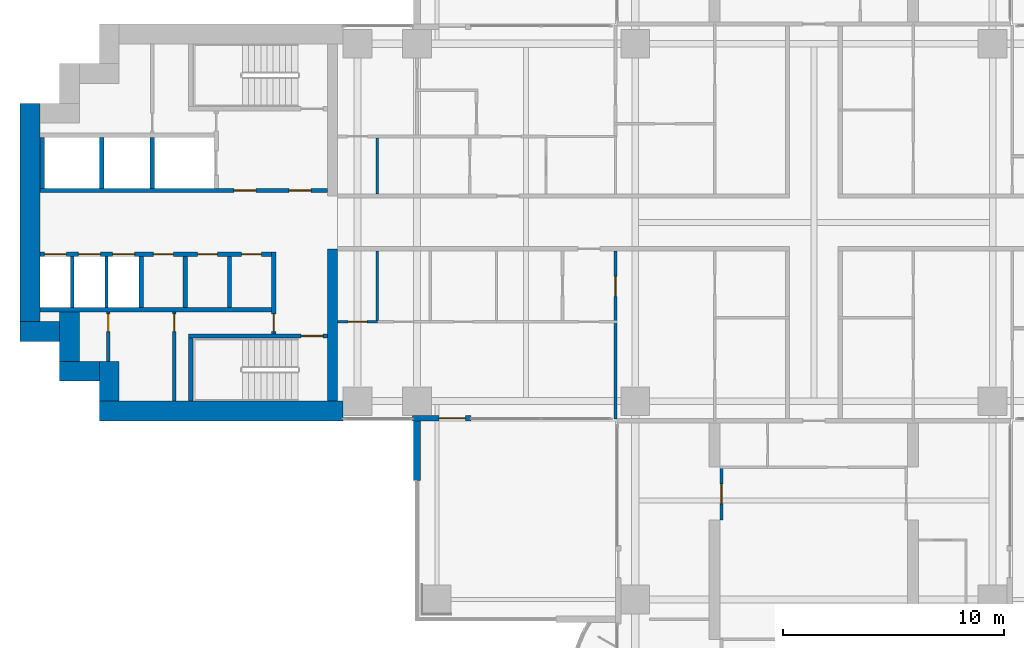
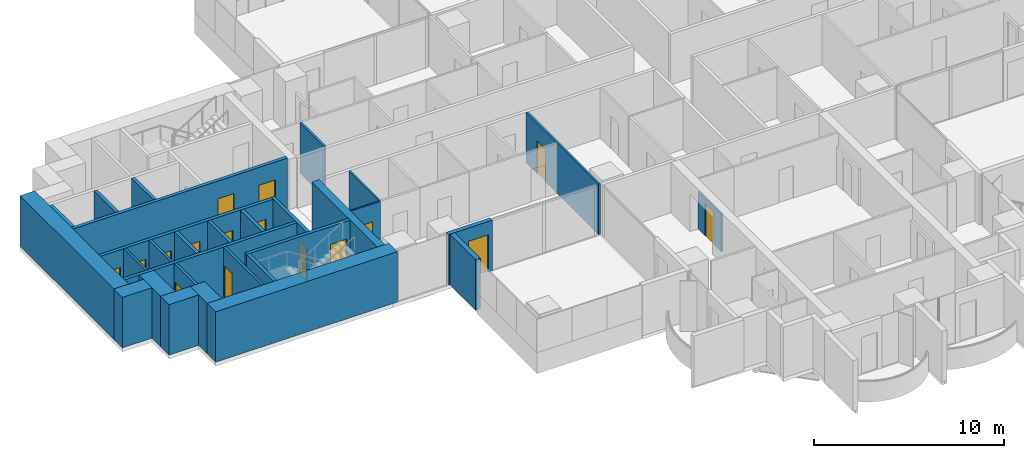
# One storey, part 10 of 21: 30 walls, 16 doors, 16 openings.
"""IFC4 building model written with IfcOpenShell, lengths in metres."""

from ifc_helpers import new_model, si_unit, direction, frame, frame_2d, origin, place, context, subcontext, project, spatial, rectangle, extrude, material, layer, layer_set, type_object, element, fill, save


model = new_model("IFC4")

# Units and contexts
model_context = context("Model", 3, precision=1e-05, world=origin(), true_north=direction((0.0, 1.0)))
body_context = subcontext(model_context, "Body", "Model", "MODEL_VIEW")
ifc_project = project(units=[si_unit("LENGTHUNIT", "METRE"), si_unit("AREAUNIT", "SQUARE_METRE"), si_unit("VOLUMEUNIT", "CUBIC_METRE"), si_unit("PLANEANGLEUNIT", "RADIAN"), si_unit("MASSUNIT", "GRAM", prefix="KILO")], contexts=[model_context])

# Site, building, storey
site_placement = place(None, origin())
site = spatial("IfcSite", under=ifc_project, at=site_placement, CompositionType="ELEMENT")
building_placement = place(site_placement, origin())
building = spatial("IfcBuilding", under=site, at=building_placement, Name="Perihelion Cross Residences", CompositionType="ELEMENT")
storey_placement = place(building_placement, frame((0.0, 0.0, 40.0)))
storey = spatial("IfcBuildingStorey", under=building, at=storey_placement, Name="L06", CompositionType="ELEMENT", Elevation=40.0)

# Wall, opening, door
ifc_material_1 = material(Name="Concrete C30/37, bronze-clad", Category="concrete")
ifc_layer_1 = layer(ifc_material_1, 0.25)
ifc_layer_set_1 = layer_set([ifc_layer_1], Name="Bronze-clad pier wall 250")
wall_type_1 = type_object("IfcWallType", Name="Bronze-clad pier wall 250", PredefinedType="SOLIDWALL", material=ifc_layer_set_1)
wall_1_placement = place(storey_placement, frame((-18.199951171875, -8.875, 0.0), z_axis=(0.0, 0.0, 1.0), x_axis=(1.0, 0.0, 0.0)))
wall_1 = element("IfcWall", 1, at=wall_1_placement, inside=storey, type_object=wall_type_1, Name="Wall FW1 L06 west side south bay 2 pier", PredefinedType="SOLIDWALL", context=body_context, shape_type="SweptSolid", body=[
    extrude(rectangle(XDim=2.64990234375, YDim=0.25, at=frame_2d((1.324951171875, 0.0))), origin(), (0.0, 0.0, 1.0), 3.25),
])
opening_1_placement = place(wall_1_placement, frame((1.199951171875, 0.0, 0.0)))
opening_1 = element("IfcOpeningElement", 2, at=opening_1_placement, cuts=wall_1, Name="Opening L06.E09", PredefinedType="OPENING", context=body_context, shape_type="SweptSolid", body=[
    extrude(rectangle(XDim=1.199951171875, YDim=2.39990234375, at=frame_2d((0.60009765625, 1.199951171875))), frame((0.0, 0.135009765625, 0.0), z_axis=(0.0, -1.0, 0.0), x_axis=(1.0, 0.0, 0.0)), (0.0, 0.0, 1.0), 0.27001953125),
])
ifc_material_2 = material(Name="Bronze anodised aluminium, glazed", Category="aluminium")
door_type_1 = type_object("IfcDoorType", Name="Balcony door 1200 x 2400", OperationType="NOTDEFINED", PredefinedType="DOOR", material=ifc_material_2)
door_1_placement = place(opening_1_placement, origin())
door_1 = element("IfcDoor", 3, at=door_1_placement, inside=storey, type_object=door_type_1, Name="Door L06.E09 west side south bay 2", OperationType="SINGLE_SWING_RIGHT", OverallHeight=2.39990234375, OverallWidth=1.199951171875, PredefinedType="DOOR", context=body_context, shape_type="SweptSolid", body=[
    extrude(rectangle(XDim=1.199951171875, YDim=2.39990234375, at=frame_2d((0.60009765625, 1.199951171875))), frame((0.0, 0.02490234375, 0.0), z_axis=(0.0, -1.0, 0.0), x_axis=(1.0, 0.0, 0.0)), (0.0, 0.0, 1.0), 0.050048828125),
])
fill(opening_1, door_1)

# Walls
ifc_material_3 = material(Name="Concrete C60/75", Category="concrete")
ifc_layer_2 = layer(ifc_material_3, 0.449951171875)
ifc_layer_set_2 = layer_set([ifc_layer_2], Name="Core wall, inner 450")
wall_type_2 = type_object("IfcWallType", Name="Core wall, inner 450", PredefinedType="SHEAR", material=ifc_layer_set_2)
wall_2_placement = place(storey_placement, frame((-21.824951171875, -8.10009765625, 0.0), z_axis=(0.0, 0.0, 1.0), x_axis=(0.0, 1.0, 0.0)))
element("IfcWall", 4, at=wall_2_placement, inside=storey, type_object=wall_type_2, Name="West core core wall, inner", PredefinedType="SHEAR", context=body_context, shape_type="SweptSolid", body=[
    extrude(rectangle(XDim=6.900146484375, YDim=0.449951171875, at=frame_2d((3.4501953125, 0.0))), origin(), (0.0, 0.0, 1.0), 3.25),
])
ifc_material_4 = material(Name="Concrete C60/75", Category="concrete")
ifc_layer_3 = layer(ifc_material_4, 0.89990234375)
ifc_layer_set_3 = layer_set([ifc_layer_3], Name="Core wall, outer 900")
wall_type_3 = type_object("IfcWallType", Name="Core wall, outer 900", PredefinedType="SHEAR", material=ifc_layer_set_3)
wall_3_placement = place(storey_placement, frame((-32.39990234375, -8.550048828125, 0.0), z_axis=(0.0, 0.0, 1.0), x_axis=(1.0, 0.0, 0.0)))
element("IfcWall", 5, at=wall_3_placement, inside=storey, type_object=wall_type_3, Name="West core core wall, outer", PredefinedType="SHEAR", context=body_context, shape_type="SweptSolid", body=[
    extrude(rectangle(XDim=11.0498046875, YDim=0.89990234375, at=frame_2d((5.52490234375, 0.0))), origin(), (0.0, 0.0, 1.0), 3.25),
])
for number, where, z_axis, x_axis, name in (
    (6, (-31.949951171875, -8.10009765625, 0.0), (0.0, 0.0, 1.0), (0.0, 1.0, 0.0), "West core core wall, outer"),
    (7, (-34.199951171875, -6.75, 0.0), (0.0, 0.0, 1.0), (1.0, 0.0, 0.0), "West core core wall, outer"),
):
    element("IfcWall", number, at=place(storey_placement, frame(where, z_axis=z_axis, x_axis=x_axis)), inside=storey, type_object=wall_type_3, Name=name, PredefinedType="SHEAR", context=body_context, shape_type="SweptSolid", body=[
        extrude(rectangle(XDim=1.800048828125, YDim=0.89990234375, at=frame_2d((0.89990234375, 0.0))), origin(), (0.0, 0.0, 1.0), 3.25),
    ])
wall_4_placement = place(storey_placement, frame((-33.75, -6.300048828125, 0.0), z_axis=(0.0, 0.0, 1.0), x_axis=(0.0, 1.0, 0.0)))
element("IfcWall", 8, at=wall_4_placement, inside=storey, type_object=wall_type_3, Name="West core core wall, outer", PredefinedType="SHEAR", context=body_context, shape_type="SweptSolid", body=[
    extrude(rectangle(XDim=2.25, YDim=0.89990234375, at=frame_2d((1.125, 0.0))), origin(), (0.0, 0.0, 1.0), 3.25),
])
wall_5_placement = place(storey_placement, frame((-36.0, -4.949951171875, 0.0), z_axis=(0.0, 0.0, 1.0), x_axis=(1.0, 0.0, 0.0)))
element("IfcWall", 9, at=wall_5_placement, inside=storey, type_object=wall_type_3, Name="West core core wall, outer", PredefinedType="SHEAR", context=body_context, shape_type="SweptSolid", body=[
    extrude(rectangle(XDim=1.800048828125, YDim=0.89990234375, at=frame_2d((0.89990234375, 0.0))), origin(), (0.0, 0.0, 1.0), 3.25),
])
wall_6_placement = place(storey_placement, frame((-35.550048828125, -4.5, 0.0), z_axis=(0.0, 0.0, 1.0), x_axis=(0.0, 1.0, 0.0)))
element("IfcWall", 10, at=wall_6_placement, inside=storey, type_object=wall_type_3, Name="West core core wall, outer", PredefinedType="SHEAR", context=body_context, shape_type="SweptSolid", body=[
    extrude(rectangle(XDim=9.89990234375, YDim=0.89990234375, at=frame_2d((4.949951171875, 0.0))), origin(), (0.0, 0.0, 1.0), 3.25),
])

# Wall, opening, door
ifc_material_5 = material(Name="Plasterboard partition")
ifc_layer_4 = layer(ifc_material_5, 0.1201171875)
ifc_layer_set_4 = layer_set([ifc_layer_4], Name="Infill panel 120")
wall_type_4 = type_object("IfcWallType", Name="Infill panel 120", PredefinedType="PARTITIONING", material=ifc_layer_set_4)
wall_7_placement = place(storey_placement, frame((-4.18994140625, -11.10009765625, 0.0), z_axis=(0.0, 0.0, 1.0), x_axis=(0.0, -1.0, 0.0)))
wall_7 = element("IfcWall", 11, at=wall_7_placement, inside=storey, type_object=wall_type_4, Name="Partition L06 WI07", PredefinedType="PARTITIONING", context=body_context, shape_type="SweptSolid", body=[
    extrude(rectangle(XDim=2.39990234375, YDim=0.1201171875, at=frame_2d((1.199951171875, 0.0))), origin(), (0.0, 0.0, 1.0), 2.39990234375),
])
opening_2_placement = place(wall_7_placement, frame((0.75, 0.0, 0.0)))
opening_2 = element("IfcOpeningElement", 12, at=opening_2_placement, cuts=wall_7, Name="Opening L06.A60", PredefinedType="OPENING", context=body_context, shape_type="SweptSolid", body=[
    extrude(rectangle(XDim=0.89990234375, YDim=2.10009765625, at=frame_2d((0.449951171875, 1.050048828125))), frame((0.0, 0.070068359375, 0.0), z_axis=(0.0, -1.0, 0.0), x_axis=(1.0, 0.0, 0.0)), (0.0, 0.0, 1.0), 0.14013671875),
])
ifc_material_6 = material(Name="Timber door leaf", Category="wood")
door_type_2 = type_object("IfcDoorType", Name="Interior room door 900 x 2100", OperationType="SINGLE_SWING_LEFT", PredefinedType="DOOR", material=ifc_material_6)
door_2_placement = place(opening_2_placement, origin())
door_2 = element("IfcDoor", 13, at=door_2_placement, inside=storey, type_object=door_type_2, Name="Door L06.A60", OperationType="SINGLE_SWING_RIGHT", OverallHeight=2.10009765625, OverallWidth=0.89990234375, PredefinedType="DOOR", context=body_context, shape_type="SweptSolid", body=[
    extrude(rectangle(XDim=0.89990234375, YDim=2.10009765625, at=frame_2d((0.449951171875, 1.050048828125))), frame((0.0, 0.02490234375, 0.0), z_axis=(0.0, -1.0, 0.0), x_axis=(1.0, 0.0, 0.0)), (0.0, 0.0, 1.0), 0.050048828125),
])
fill(opening_2, door_2)

ifc_material_7 = material(Name="Concrete C50/60", Category="concrete")
ifc_layer_5 = layer(ifc_material_7, 0.199951171875)
ifc_layer_set_5 = layer_set([ifc_layer_5], Name="Lobby wall 200")
wall_type_5 = type_object("IfcWallType", Name="Lobby wall 200", PredefinedType="SOLIDWALL", material=ifc_layer_set_5)
wall_8_placement = place(storey_placement, frame((-24.5, -5.050048828125, 0.0), z_axis=(0.0, 0.0, 1.0), x_axis=(0.0, 1.0, 0.0)))
wall_8 = element("IfcWall", 14, at=wall_8_placement, inside=storey, type_object=wall_type_5, Name="West core lobby wall", PredefinedType="SOLIDWALL", context=body_context, shape_type="SweptSolid", body=[
    extrude(rectangle(XDim=3.699951171875, YDim=0.199951171875, at=frame_2d((1.85009765625, 0.0))), origin(), (0.0, 0.0, 1.0), 3.25),
])
opening_3_placement = place(wall_8_placement, frame((0.10009765625, 0.0, 0.0)))
opening_3 = element("IfcOpeningElement", 15, at=opening_3_placement, cuts=wall_8, Name="Opening L06.C24", PredefinedType="OPENING", context=body_context, shape_type="SweptSolid", body=[
    extrude(rectangle(XDim=0.800048828125, YDim=2.10009765625, at=frame_2d((0.39990234375, 1.050048828125))), frame((0.0, 0.10986328125, 0.0), z_axis=(0.0, -1.0, 0.0), x_axis=(1.0, 0.0, 0.0)), (0.0, 0.0, 1.0), 0.219970703125),
])
ifc_material_8 = material(Name="Steel, powder coated", Category="steel")
door_type_3 = type_object("IfcDoorType", Name="Riser door 800", OperationType="SINGLE_SWING_LEFT", PredefinedType="DOOR", material=ifc_material_8)
door_3_placement = place(opening_3_placement, origin())
door_3 = element("IfcDoor", 16, at=door_3_placement, inside=storey, type_object=door_type_3, Name="West core riser door", OperationType="SINGLE_SWING_LEFT", OverallHeight=2.10009765625, OverallWidth=0.800048828125, PredefinedType="DOOR", context=body_context, shape_type="SweptSolid", body=[
    extrude(rectangle(XDim=0.800048828125, YDim=2.10009765625, at=frame_2d((0.39990234375, 1.050048828125))), frame((0.0, 0.02490234375, 0.0), z_axis=(0.0, -1.0, 0.0), x_axis=(1.0, 0.0, 0.0)), (0.0, 0.0, 1.0), 0.050048828125),
])
fill(opening_3, door_3)

# Wall
ifc_material_9 = material(Name="Plasterboard partition")
ifc_layer_6 = layer(ifc_material_9, 0.1201171875)
ifc_layer_set_6 = layer_set([ifc_layer_6], Name="Partition wall 120")
wall_type_6 = type_object("IfcWallType", Name="Partition wall 120", PredefinedType="PARTITIONING", material=ifc_layer_set_6)
wall_9_placement = place(storey_placement, frame((-19.800048828125, 1.300048828125, 0.0), z_axis=(0.0, 0.0, 1.0), x_axis=(0.0, 1.0, 0.0)))
element("IfcWall", 17, at=wall_9_placement, inside=storey, type_object=wall_type_6, Name="Partition L06 W038", PredefinedType="PARTITIONING", context=body_context, shape_type="SweptSolid", body=[
    extrude(rectangle(XDim=2.5400390625, YDim=0.1201171875, at=frame_2d((1.27001953125, 0.0))), origin(), (0.0, 0.0, 1.0), 3.25),
])

# Wall, opening, door
wall_10_placement = place(storey_placement, frame((-9.0, -1.300048828125, 0.0), z_axis=(0.0, 0.0, 1.0), x_axis=(0.0, -1.0, 0.0)))
wall_10 = element("IfcWall", 18, at=wall_10_placement, inside=storey, type_object=wall_type_6, Name="Partition L06 W047", PredefinedType="PARTITIONING", context=body_context, shape_type="SweptSolid", body=[
    extrude(rectangle(XDim=7.619873046875, YDim=0.1201171875, at=frame_2d((3.81005859375, 0.0))), origin(), (0.0, 0.0, 1.0), 3.25),
])
opening_4_placement = place(wall_10_placement, frame((1.14990234375, 0.0, 0.0)))
opening_4 = element("IfcOpeningElement", 19, at=opening_4_placement, cuts=wall_10, Name="Opening L06.A28", PredefinedType="OPENING", context=body_context, shape_type="SweptSolid", body=[
    extrude(rectangle(XDim=0.89990234375, YDim=2.10009765625, at=frame_2d((0.449951171875, 1.050048828125))), frame((0.0, 0.070068359375, 0.0), z_axis=(0.0, -1.0, 0.0), x_axis=(1.0, 0.0, 0.0)), (0.0, 0.0, 1.0), 0.14013671875),
])
door_4_placement = place(opening_4_placement, origin())
door_4 = element("IfcDoor", 20, at=door_4_placement, inside=storey, type_object=door_type_2, Name="Door L06.A28", OperationType="SINGLE_SWING_RIGHT", OverallHeight=2.10009765625, OverallWidth=0.89990234375, PredefinedType="DOOR", context=body_context, shape_type="SweptSolid", body=[
    extrude(rectangle(XDim=0.89990234375, YDim=2.10009765625, at=frame_2d((0.449951171875, 1.050048828125))), frame((0.0, 0.02490234375, 0.0), z_axis=(0.0, -1.0, 0.0), x_axis=(1.0, 0.0, 0.0)), (0.0, 0.0, 1.0), 0.050048828125),
])
fill(opening_4, door_4)

# Wall
ifc_material_10 = material(Name="Precast concrete C50/60", Category="concrete")
ifc_layer_7 = layer(ifc_material_10, 0.300048828125)
ifc_layer_set_7 = layer_set([ifc_layer_7], Name="Precast concrete C50/60 blade wall 300")
wall_type_7 = type_object("IfcWallType", Name="Precast concrete C50/60 blade wall 300", PredefinedType="SOLIDWALL", material=ifc_layer_set_7)
wall_11_placement = place(storey_placement, frame((-18.0, -8.75, 0.0), z_axis=(0.0, 0.0, 1.0), x_axis=(0.0, -1.0, 0.0)))
element("IfcWall", 21, at=wall_11_placement, inside=storey, type_object=wall_type_7, Name="Wall BL1 L06 no. 1", PredefinedType="SOLIDWALL", context=body_context, shape_type="SweptSolid", body=[
    extrude(rectangle(XDim=2.949951171875, YDim=0.300048828125, at=frame_2d((1.47509765625, 0.0))), origin(), (0.0, 0.0, 1.0), 3.25),
])

# Wall, opening, door
ifc_material_11 = material(Name="Fire-rated board on steel stud", Category="steel")
ifc_layer_8 = layer(ifc_material_11, 0.14990234375)
ifc_layer_set_8 = layer_set([ifc_layer_8], Name="Riser wall 150")
wall_type_8 = type_object("IfcWallType", Name="Riser wall 150", PredefinedType="PARTITIONING", material=ifc_layer_set_8)
wall_12_placement = place(storey_placement, frame((-29.0, -8.10009765625, 0.0), z_axis=(0.0, 0.0, 1.0), x_axis=(0.0, 1.0, 0.0)))
wall_12 = element("IfcWall", 22, at=wall_12_placement, inside=storey, type_object=wall_type_8, Name="West core riser wall", PredefinedType="PARTITIONING", context=body_context, shape_type="SweptSolid", body=[
    extrude(rectangle(XDim=4.050048828125, YDim=0.14990234375, at=frame_2d((2.02490234375, 0.0))), origin(), (0.0, 0.0, 1.0), 3.25),
])
opening_5_placement = place(wall_12_placement, frame((3.14990234375, 0.0, 0.0)))
opening_5 = element("IfcOpeningElement", 23, at=opening_5_placement, cuts=wall_12, Name="Opening L06.C29", PredefinedType="OPENING", context=body_context, shape_type="SweptSolid", body=[
    extrude(rectangle(XDim=0.800048828125, YDim=2.10009765625, at=frame_2d((0.39990234375, 1.050048828125))), frame((0.0, 0.0849609375, 0.0), z_axis=(0.0, -1.0, 0.0), x_axis=(1.0, 0.0, 0.0)), (0.0, 0.0, 1.0), 0.169921875),
])
door_5_placement = place(opening_5_placement, origin())
door_5 = element("IfcDoor", 24, at=door_5_placement, inside=storey, type_object=door_type_3, Name="West core riser door", OperationType="SINGLE_SWING_LEFT", OverallHeight=2.10009765625, OverallWidth=0.800048828125, PredefinedType="DOOR", context=body_context, shape_type="SweptSolid", body=[
    extrude(rectangle(XDim=0.800048828125, YDim=2.10009765625, at=frame_2d((0.39990234375, 1.050048828125))), frame((0.0, 0.02490234375, 0.0), z_axis=(0.0, -1.0, 0.0), x_axis=(1.0, 0.0, 0.0)), (0.0, 0.0, 1.0), 0.050048828125),
])
fill(opening_5, door_5)

wall_13_placement = place(storey_placement, frame((-32.0, -6.300048828125, 0.0), z_axis=(0.0, 0.0, 1.0), x_axis=(0.0, 1.0, 0.0)))
wall_13 = element("IfcWall", 25, at=wall_13_placement, inside=storey, type_object=wall_type_8, Name="West core riser wall", PredefinedType="PARTITIONING", context=body_context, shape_type="SweptSolid", body=[
    extrude(rectangle(XDim=2.25, YDim=0.14990234375, at=frame_2d((1.125, 0.0))), origin(), (0.0, 0.0, 1.0), 3.25),
])
opening_6_placement = place(wall_13_placement, frame((1.35009765625, 0.0, 0.0)))
opening_6 = element("IfcOpeningElement", 26, at=opening_6_placement, cuts=wall_13, Name="Opening L06.C32", PredefinedType="OPENING", context=body_context, shape_type="SweptSolid", body=[
    extrude(rectangle(XDim=0.800048828125, YDim=2.10009765625, at=frame_2d((0.39990234375, 1.050048828125))), frame((0.0, 0.0849609375, 0.0), z_axis=(0.0, -1.0, 0.0), x_axis=(1.0, 0.0, 0.0)), (0.0, 0.0, 1.0), 0.169921875),
])
door_6_placement = place(opening_6_placement, origin())
door_6 = element("IfcDoor", 27, at=door_6_placement, inside=storey, type_object=door_type_3, Name="West core riser door", OperationType="SINGLE_SWING_LEFT", OverallHeight=2.10009765625, OverallWidth=0.800048828125, PredefinedType="DOOR", context=body_context, shape_type="SweptSolid", body=[
    extrude(rectangle(XDim=0.800048828125, YDim=2.10009765625, at=frame_2d((0.39990234375, 1.050048828125))), frame((0.0, 0.02490234375, 0.0), z_axis=(0.0, -1.0, 0.0), x_axis=(1.0, 0.0, 0.0)), (0.0, 0.0, 1.0), 0.050048828125),
])
fill(opening_6, door_6)

# Walls
ifc_material_12 = material(Name="Fire-rated board on steel stud", Category="steel")
ifc_layer_9 = layer(ifc_material_12, 0.199951171875)
ifc_layer_set_9 = layer_set([ifc_layer_9], Name="Riser wall 200")
wall_type_9 = type_object("IfcWallType", Name="Riser wall 200", PredefinedType="PARTITIONING", material=ifc_layer_set_9)
for number, where, z_axis, x_axis, name in (
    (28, (-26.5, -3.85009765625, 0.0), (0.0, 0.0, 1.0), (0.0, 1.0, 0.0), "West core riser wall"),
    (29, (-28.5, -3.85009765625, 0.0), (0.0, 0.0, 1.0), (0.0, 1.0, 0.0), "West core riser wall"),
):
    element("IfcWall", number, at=place(storey_placement, frame(where, z_axis=z_axis, x_axis=x_axis)), inside=storey, type_object=wall_type_9, Name=name, PredefinedType="PARTITIONING", context=body_context, shape_type="SweptSolid", body=[
        extrude(rectangle(XDim=2.300048828125, YDim=0.199951171875, at=frame_2d((1.14990234375, 0.0))), origin(), (0.0, 0.0, 1.0), 3.25),
    ])
ifc_material_13 = material(Name="Concrete C50/60", Category="concrete")
ifc_layer_10 = layer(ifc_material_13, 0.14990234375)
ifc_layer_set_10 = layer_set([ifc_layer_10], Name="Shaft wall 150")
wall_type_10 = type_object("IfcWallType", Name="Shaft wall 150", PredefinedType="SOLIDWALL", material=ifc_layer_set_10)
for number, where, z_axis, x_axis, name in (
    (30, (-32.074951171875, -3.85009765625, 0.0), (0.0, 0.0, 1.0), (0.0, 1.0, 0.0), "West core shaft wall"),
    (31, (-33.625, -3.85009765625, 0.0), (0.0, 0.0, 1.0), (0.0, 1.0, 0.0), "West core shaft wall"),
):
    element("IfcWall", number, at=place(storey_placement, frame(where, z_axis=z_axis, x_axis=x_axis)), inside=storey, type_object=wall_type_10, Name=name, PredefinedType="SOLIDWALL", context=body_context, shape_type="SweptSolid", body=[
        extrude(rectangle(XDim=2.300048828125, YDim=0.14990234375, at=frame_2d((1.14990234375, 0.0))), origin(), (0.0, 0.0, 1.0), 3.25),
    ])

# Wall, openings, doors
ifc_material_14 = material(Name="Concrete C50/60", Category="concrete")
ifc_layer_11 = layer(ifc_material_14, 0.199951171875)
ifc_layer_set_11 = layer_set([ifc_layer_11], Name="Shaft wall 200")
wall_type_11 = type_object("IfcWallType", Name="Shaft wall 200", PredefinedType="SOLIDWALL", material=ifc_layer_set_11)
wall_14_placement = place(storey_placement, frame((-35.10009765625, 1.449951171875, 0.0), z_axis=(0.0, 0.0, 1.0), x_axis=(1.0, 0.0, 0.0)))
wall_14 = element("IfcWall", 32, at=wall_14_placement, inside=storey, type_object=wall_type_11, Name="West core shaft wall", PredefinedType="SOLIDWALL", context=body_context, shape_type="SweptSolid", body=[
    extrude(rectangle(XDim=13.050048828125, YDim=0.199951171875, at=frame_2d((6.52490234375, 0.0))), origin(), (0.0, 0.0, 1.0), 3.25),
])
opening_7_placement = place(wall_14_placement, frame((11.300048828125, 0.0, 0.0)))
opening_7 = element("IfcOpeningElement", 33, at=opening_7_placement, cuts=wall_14, Name="Opening L06.C23", PredefinedType="OPENING", context=body_context, shape_type="SweptSolid", body=[
    extrude(rectangle(XDim=1.0, YDim=2.10009765625, at=frame_2d((0.5, 1.050048828125))), frame((0.0, 0.10986328125, 0.0), z_axis=(0.0, -1.0, 0.0), x_axis=(1.0, 0.0, 0.0)), (0.0, 0.0, 1.0), 0.219970703125),
])
opening_8_placement = place(wall_14_placement, frame((8.800048828125, 0.0, 0.0)))
opening_8 = element("IfcOpeningElement", 34, at=opening_8_placement, cuts=wall_14, Name="Opening L06.C26", PredefinedType="OPENING", context=body_context, shape_type="SweptSolid", body=[
    extrude(rectangle(XDim=1.0, YDim=2.10009765625, at=frame_2d((0.5, 1.050048828125))), frame((0.0, 0.10986328125, 0.0), z_axis=(0.0, -1.0, 0.0), x_axis=(1.0, 0.0, 0.0)), (0.0, 0.0, 1.0), 0.219970703125),
])
ifc_material_15 = material(Name="Steel, powder coated", Category="steel")
door_type_4 = type_object("IfcDoorType", Name="Lobby door 1000", OperationType="SINGLE_SWING_LEFT", PredefinedType="DOOR", material=ifc_material_15)
door_7_placement = place(opening_7_placement, origin())
door_7 = element("IfcDoor", 35, at=door_7_placement, inside=storey, type_object=door_type_4, Name="West core firefighting lobby door", OperationType="SINGLE_SWING_LEFT", OverallHeight=2.10009765625, OverallWidth=1.0, PredefinedType="DOOR", context=body_context, shape_type="SweptSolid", body=[
    extrude(rectangle(XDim=1.0, YDim=2.10009765625, at=frame_2d((0.5, 1.050048828125))), frame((0.0, 0.02490234375, 0.0), z_axis=(0.0, -1.0, 0.0), x_axis=(1.0, 0.0, 0.0)), (0.0, 0.0, 1.0), 0.050048828125),
])
fill(opening_7, door_7)
door_8_placement = place(opening_8_placement, origin())
door_8 = element("IfcDoor", 36, at=door_8_placement, inside=storey, type_object=door_type_4, Name="West core firefighting lobby door", OperationType="SINGLE_SWING_LEFT", OverallHeight=2.10009765625, OverallWidth=1.0, PredefinedType="DOOR", context=body_context, shape_type="SweptSolid", body=[
    extrude(rectangle(XDim=1.0, YDim=2.10009765625, at=frame_2d((0.5, 1.050048828125))), frame((0.0, 0.02490234375, 0.0), z_axis=(0.0, -1.0, 0.0), x_axis=(1.0, 0.0, 0.0)), (0.0, 0.0, 1.0), 0.050048828125),
])
fill(opening_8, door_8)

wall_15_placement = place(storey_placement, frame((-35.10009765625, -1.449951171875, 0.0), z_axis=(0.0, 0.0, 1.0), x_axis=(1.0, 0.0, 0.0)))
wall_15 = element("IfcWall", 37, at=wall_15_placement, inside=storey, type_object=wall_type_11, Name="West core shaft wall", PredefinedType="SOLIDWALL", context=body_context, shape_type="SweptSolid", body=[
    extrude(rectangle(XDim=10.5, YDim=0.199951171875, at=frame_2d((5.25, 0.0))), origin(), (0.0, 0.0, 1.0), 3.25),
])
opening_9_placement = place(wall_15_placement, frame((3.300048828125, 0.0, 0.0)))
opening_9 = element("IfcOpeningElement", 38, at=opening_9_placement, cuts=wall_15, Name="Opening L06.C18", PredefinedType="OPENING", context=body_context, shape_type="SweptSolid", body=[
    extrude(rectangle(XDim=1.0, YDim=2.10009765625, at=frame_2d((0.5, 1.050048828125))), frame((0.0, 0.10986328125, 0.0), z_axis=(0.0, -1.0, 0.0), x_axis=(1.0, 0.0, 0.0)), (0.0, 0.0, 1.0), 0.219970703125),
])
opening_10_placement = place(wall_15_placement, frame((1.75, 0.0, 0.0)))
opening_10 = element("IfcOpeningElement", 39, at=opening_10_placement, cuts=wall_15, Name="Opening L06.C19", PredefinedType="OPENING", context=body_context, shape_type="SweptSolid", body=[
    extrude(rectangle(XDim=1.0, YDim=2.10009765625, at=frame_2d((0.5, 1.050048828125))), frame((0.0, 0.10986328125, 0.0), z_axis=(0.0, -1.0, 0.0), x_axis=(1.0, 0.0, 0.0)), (0.0, 0.0, 1.0), 0.219970703125),
])
opening_11_placement = place(wall_15_placement, frame((0.199951171875, 0.0, 0.0)))
opening_11 = element("IfcOpeningElement", 40, at=opening_11_placement, cuts=wall_15, Name="Opening L06.C20", PredefinedType="OPENING", context=body_context, shape_type="SweptSolid", body=[
    extrude(rectangle(XDim=1.0, YDim=2.10009765625, at=frame_2d((0.5, 1.050048828125))), frame((0.0, 0.10986328125, 0.0), z_axis=(0.0, -1.0, 0.0), x_axis=(1.0, 0.0, 0.0)), (0.0, 0.0, 1.0), 0.219970703125),
])
opening_12_placement = place(wall_15_placement, frame((9.14990234375, 0.0, 0.0)))
opening_12 = element("IfcOpeningElement", 41, at=opening_12_placement, cuts=wall_15, Name="Opening L06.C25", PredefinedType="OPENING", context=body_context, shape_type="SweptSolid", body=[
    extrude(rectangle(XDim=0.89990234375, YDim=2.10009765625, at=frame_2d((0.449951171875, 1.050048828125))), frame((0.0, 0.10986328125, 0.0), z_axis=(0.0, -1.0, 0.0), x_axis=(1.0, 0.0, 0.0)), (0.0, 0.0, 1.0), 0.219970703125),
])
opening_13_placement = place(wall_15_placement, frame((7.14990234375, 0.0, 0.0)))
opening_13 = element("IfcOpeningElement", 42, at=opening_13_placement, cuts=wall_15, Name="Opening L06.C28", PredefinedType="OPENING", context=body_context, shape_type="SweptSolid", body=[
    extrude(rectangle(XDim=0.89990234375, YDim=2.10009765625, at=frame_2d((0.449951171875, 1.050048828125))), frame((0.0, 0.10986328125, 0.0), z_axis=(0.0, -1.0, 0.0), x_axis=(1.0, 0.0, 0.0)), (0.0, 0.0, 1.0), 0.219970703125),
])
opening_14_placement = place(wall_15_placement, frame((5.14990234375, 0.0, 0.0)))
opening_14 = element("IfcOpeningElement", 43, at=opening_14_placement, cuts=wall_15, Name="Opening L06.C30", PredefinedType="OPENING", context=body_context, shape_type="SweptSolid", body=[
    extrude(rectangle(XDim=0.89990234375, YDim=2.10009765625, at=frame_2d((0.449951171875, 1.050048828125))), frame((0.0, 0.10986328125, 0.0), z_axis=(0.0, -1.0, 0.0), x_axis=(1.0, 0.0, 0.0)), (0.0, 0.0, 1.0), 0.219970703125),
])
ifc_material_16 = material(Name="Stainless steel", Category="steel")
door_type_5 = type_object("IfcDoorType", Name="Landing door 1000", OperationType="DOUBLE_DOOR_SLIDING", PredefinedType="DOOR", material=ifc_material_16)
door_9_placement = place(opening_9_placement, origin())
door_9 = element("IfcDoor", 44, at=door_9_placement, inside=storey, type_object=door_type_5, Name="Landing door, West core low-rise lift 1", OperationType="DOUBLE_DOOR_SLIDING", OverallHeight=2.10009765625, OverallWidth=1.0, PredefinedType="DOOR", context=body_context, shape_type="SweptSolid", body=[
    extrude(rectangle(XDim=1.0, YDim=2.10009765625, at=frame_2d((0.5, 1.050048828125))), frame((0.0, 0.02490234375, 0.0), z_axis=(0.0, -1.0, 0.0), x_axis=(1.0, 0.0, 0.0)), (0.0, 0.0, 1.0), 0.050048828125),
])
fill(opening_9, door_9)
door_10_placement = place(opening_10_placement, origin())
door_10 = element("IfcDoor", 45, at=door_10_placement, inside=storey, type_object=door_type_5, Name="Landing door, West core low-rise lift 2", OperationType="DOUBLE_DOOR_SLIDING", OverallHeight=2.10009765625, OverallWidth=1.0, PredefinedType="DOOR", context=body_context, shape_type="SweptSolid", body=[
    extrude(rectangle(XDim=1.0, YDim=2.10009765625, at=frame_2d((0.5, 1.050048828125))), frame((0.0, 0.02490234375, 0.0), z_axis=(0.0, -1.0, 0.0), x_axis=(1.0, 0.0, 0.0)), (0.0, 0.0, 1.0), 0.050048828125),
])
fill(opening_10, door_10)
door_11_placement = place(opening_11_placement, origin())
door_11 = element("IfcDoor", 46, at=door_11_placement, inside=storey, type_object=door_type_5, Name="Landing door, West core low-rise lift 3", OperationType="DOUBLE_DOOR_SLIDING", OverallHeight=2.10009765625, OverallWidth=1.0, PredefinedType="DOOR", context=body_context, shape_type="SweptSolid", body=[
    extrude(rectangle(XDim=1.0, YDim=2.10009765625, at=frame_2d((0.5, 1.050048828125))), frame((0.0, 0.02490234375, 0.0), z_axis=(0.0, -1.0, 0.0), x_axis=(1.0, 0.0, 0.0)), (0.0, 0.0, 1.0), 0.050048828125),
])
fill(opening_11, door_11)
ifc_material_17 = material(Name="Steel, powder coated", Category="steel")
door_type_6 = type_object("IfcDoorType", Name="Service room door 900", OperationType="SINGLE_SWING_LEFT", PredefinedType="DOOR", material=ifc_material_17)
door_12_placement = place(opening_12_placement, origin())
door_12 = element("IfcDoor", 47, at=door_12_placement, inside=storey, type_object=door_type_6, Name="West core service room door", OperationType="SINGLE_SWING_LEFT", OverallHeight=2.10009765625, OverallWidth=0.89990234375, PredefinedType="DOOR", context=body_context, shape_type="SweptSolid", body=[
    extrude(rectangle(XDim=0.89990234375, YDim=2.10009765625, at=frame_2d((0.449951171875, 1.050048828125))), frame((0.0, 0.02490234375, 0.0), z_axis=(0.0, -1.0, 0.0), x_axis=(1.0, 0.0, 0.0)), (0.0, 0.0, 1.0), 0.050048828125),
])
fill(opening_12, door_12)
door_13_placement = place(opening_13_placement, origin())
door_13 = element("IfcDoor", 48, at=door_13_placement, inside=storey, type_object=door_type_6, Name="West core service room door", OperationType="SINGLE_SWING_LEFT", OverallHeight=2.10009765625, OverallWidth=0.89990234375, PredefinedType="DOOR", context=body_context, shape_type="SweptSolid", body=[
    extrude(rectangle(XDim=0.89990234375, YDim=2.10009765625, at=frame_2d((0.449951171875, 1.050048828125))), frame((0.0, 0.02490234375, 0.0), z_axis=(0.0, -1.0, 0.0), x_axis=(1.0, 0.0, 0.0)), (0.0, 0.0, 1.0), 0.050048828125),
])
fill(opening_13, door_13)
door_14_placement = place(opening_14_placement, origin())
door_14 = element("IfcDoor", 49, at=door_14_placement, inside=storey, type_object=door_type_6, Name="West core service room door", OperationType="SINGLE_SWING_LEFT", OverallHeight=2.10009765625, OverallWidth=0.89990234375, PredefinedType="DOOR", context=body_context, shape_type="SweptSolid", body=[
    extrude(rectangle(XDim=0.89990234375, YDim=2.10009765625, at=frame_2d((0.449951171875, 1.050048828125))), frame((0.0, 0.02490234375, 0.0), z_axis=(0.0, -1.0, 0.0), x_axis=(1.0, 0.0, 0.0)), (0.0, 0.0, 1.0), 0.050048828125),
])
fill(opening_14, door_14)

# Walls
wall_16_placement = place(storey_placement, frame((-35.10009765625, -3.949951171875, 0.0), z_axis=(0.0, 0.0, 1.0), x_axis=(1.0, 0.0, 0.0)))
element("IfcWall", 50, at=wall_16_placement, inside=storey, type_object=wall_type_11, Name="West core shaft wall", PredefinedType="SOLIDWALL", context=body_context, shape_type="SweptSolid", body=[
    extrude(rectangle(XDim=10.5, YDim=0.199951171875, at=frame_2d((5.25, 0.0))), origin(), (0.0, 0.0, 1.0), 3.25),
])
for number, where, z_axis, x_axis, name in (
    (51, (-30.0, 1.550048828125, 0.0), (0.0, 0.0, 1.0), (0.0, 1.0, 0.0), "West core shaft wall"),
    (52, (-32.300048828125, 1.550048828125, 0.0), (0.0, 0.0, 1.0), (0.0, 1.0, 0.0), "West core shaft wall"),
    (53, (-35.0, 1.550048828125, 0.0), (0.0, 0.0, 1.0), (0.0, 1.0, 0.0), "West core shaft wall"),
    (54, (-30.5, -3.85009765625, 0.0), (0.0, 0.0, 1.0), (0.0, 1.0, 0.0), "West core shaft wall"),
):
    element("IfcWall", number, at=place(storey_placement, frame(where, z_axis=z_axis, x_axis=x_axis)), inside=storey, type_object=wall_type_11, Name=name, PredefinedType="SOLIDWALL", context=body_context, shape_type="SweptSolid", body=[
        extrude(rectangle(XDim=2.300048828125, YDim=0.199951171875, at=frame_2d((1.14990234375, 0.0))), origin(), (0.0, 0.0, 1.0), 3.25),
    ])

# Wall, opening, door
ifc_material_18 = material(Name="Concrete C50/60", Category="concrete")
ifc_layer_12 = layer(ifc_material_18, 0.199951171875)
ifc_layer_set_12 = layer_set([ifc_layer_12], Name="Stair wall 200")
wall_type_12 = type_object("IfcWallType", Name="Stair wall 200", PredefinedType="SOLIDWALL", material=ifc_layer_set_12)
wall_17_placement = place(storey_placement, frame((-28.35009765625, -5.14990234375, 0.0), z_axis=(0.0, 0.0, 1.0), x_axis=(1.0, 0.0, 0.0)))
wall_17 = element("IfcWall", 55, at=wall_17_placement, inside=storey, type_object=wall_type_12, Name="West core stair wall", PredefinedType="SOLIDWALL", context=body_context, shape_type="SweptSolid", body=[
    extrude(rectangle(XDim=6.300048828125, YDim=0.199951171875, at=frame_2d((3.14990234375, 0.0))), origin(), (0.0, 0.0, 1.0), 3.25),
])
opening_15_placement = place(wall_17_placement, frame((5.10009765625, 0.0, 0.0)))
opening_15 = element("IfcOpeningElement", 56, at=opening_15_placement, cuts=wall_17, Name="Opening L06.C21", PredefinedType="OPENING", context=body_context, shape_type="SweptSolid", body=[
    extrude(rectangle(XDim=1.0, YDim=2.10009765625, at=frame_2d((0.5, 1.050048828125))), frame((0.0, 0.10986328125, 0.0), z_axis=(0.0, -1.0, 0.0), x_axis=(1.0, 0.0, 0.0)), (0.0, 0.0, 1.0), 0.219970703125),
])
ifc_material_19 = material(Name="Steel, powder coated", Category="steel")
door_type_7 = type_object("IfcDoorType", Name="Stair door 1000", OperationType="SINGLE_SWING_LEFT", PredefinedType="DOOR", material=ifc_material_19)
door_15_placement = place(opening_15_placement, origin())
door_15 = element("IfcDoor", 57, at=door_15_placement, inside=storey, type_object=door_type_7, Name="West core stair door", OperationType="SINGLE_SWING_LEFT", OverallHeight=2.10009765625, OverallWidth=1.0, PredefinedType="DOOR", context=body_context, shape_type="SweptSolid", body=[
    extrude(rectangle(XDim=1.0, YDim=2.10009765625, at=frame_2d((0.5, 1.050048828125))), frame((0.0, 0.02490234375, 0.0), z_axis=(0.0, -1.0, 0.0), x_axis=(1.0, 0.0, 0.0)), (0.0, 0.0, 1.0), 0.050048828125),
])
fill(opening_15, door_15)

# Walls
wall_18_placement = place(storey_placement, frame((-28.25, -8.10009765625, 0.0), z_axis=(0.0, 0.0, 1.0), x_axis=(0.0, 1.0, 0.0)))
element("IfcWall", 58, at=wall_18_placement, inside=storey, type_object=wall_type_12, Name="West core stair wall", PredefinedType="SOLIDWALL", context=body_context, shape_type="SweptSolid", body=[
    extrude(rectangle(XDim=2.85009765625, YDim=0.199951171875, at=frame_2d((1.425048828125, 0.0))), origin(), (0.0, 0.0, 1.0), 3.25),
])
ifc_material_20 = material(Name="Plasterboard partition")
ifc_layer_13 = layer(ifc_material_20, 0.10009765625)
ifc_layer_set_13 = layer_set([ifc_layer_13], Name="Wet room wall 100")
wall_type_13 = type_object("IfcWallType", Name="Wet room wall 100", PredefinedType="PARTITIONING", material=ifc_layer_set_13)
wall_19_placement = place(storey_placement, frame((-19.800048828125, -4.43994140625, 0.0), z_axis=(0.0, 0.0, 1.0), x_axis=(0.0, 1.0, 0.0)))
element("IfcWall", 59, at=wall_19_placement, inside=storey, type_object=wall_type_13, Name="Partition L06 W051", PredefinedType="PARTITIONING", context=body_context, shape_type="SweptSolid", body=[
    extrude(rectangle(XDim=3.139892578125, YDim=0.10009765625, at=frame_2d((1.56982421875, 0.0))), origin(), (0.0, 0.0, 1.0), 3.25),
])

# Wall, opening, door
wall_20_placement = place(storey_placement, frame((-19.800048828125, -4.5, 0.0), z_axis=(0.0, 0.0, 1.0), x_axis=(-1.0, 0.0, 0.0)))
wall_20 = element("IfcWall", 60, at=wall_20_placement, inside=storey, type_object=wall_type_13, Name="Partition L06 W053", PredefinedType="PARTITIONING", context=body_context, shape_type="SweptSolid", body=[
    extrude(rectangle(XDim=1.800048828125, YDim=0.10009765625, at=frame_2d((0.89990234375, 0.0))), origin(), (0.0, 0.0, 1.0), 3.25),
])
opening_16_placement = place(wall_20_placement, frame((0.47509765625, 0.0, 0.0)))
opening_16 = element("IfcOpeningElement", 61, at=opening_16_placement, cuts=wall_20, Name="Opening L06.A31", PredefinedType="OPENING", context=body_context, shape_type="SweptSolid", body=[
    extrude(rectangle(XDim=0.85009765625, YDim=2.10009765625, at=frame_2d((0.425048828125, 1.050048828125))), frame((0.0, 0.06005859375, 0.0), z_axis=(0.0, -1.0, 0.0), x_axis=(1.0, 0.0, 0.0)), (0.0, 0.0, 1.0), 0.1201171875),
])
ifc_material_21 = material(Name="Timber door leaf", Category="wood")
door_type_8 = type_object("IfcDoorType", Name="Interior bathroom door 850 x 2100", OperationType="SINGLE_SWING_LEFT", PredefinedType="DOOR", material=ifc_material_21)
door_16_placement = place(opening_16_placement, origin())
door_16 = element("IfcDoor", 62, at=door_16_placement, inside=storey, type_object=door_type_8, Name="Door L06.A31", OperationType="SINGLE_SWING_LEFT", OverallHeight=2.10009765625, OverallWidth=0.85009765625, PredefinedType="DOOR", context=body_context, shape_type="SweptSolid", body=[
    extrude(rectangle(XDim=0.85009765625, YDim=2.10009765625, at=frame_2d((0.425048828125, 1.050048828125))), frame((0.0, 0.02490234375, 0.0), z_axis=(0.0, -1.0, 0.0), x_axis=(1.0, 0.0, 0.0)), (0.0, 0.0, 1.0), 0.050048828125),
])
fill(opening_16, door_16)

save(model, "model.ifc")
